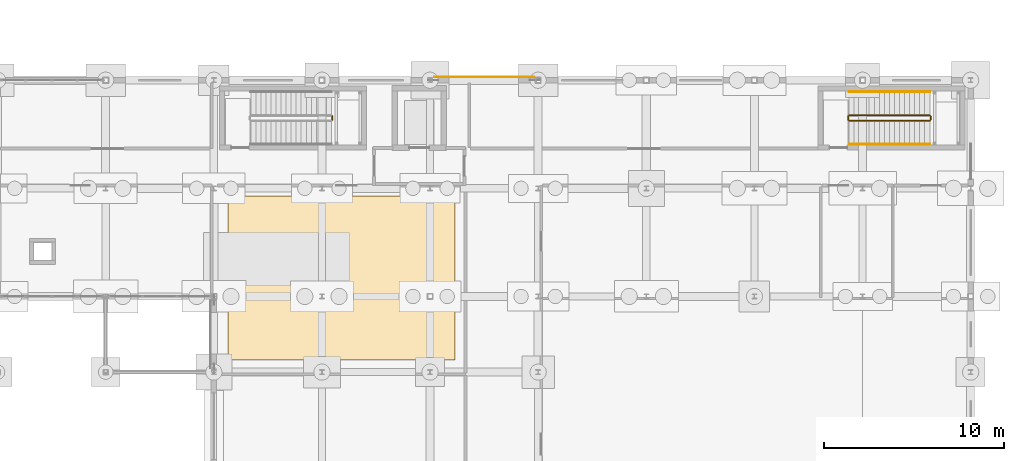
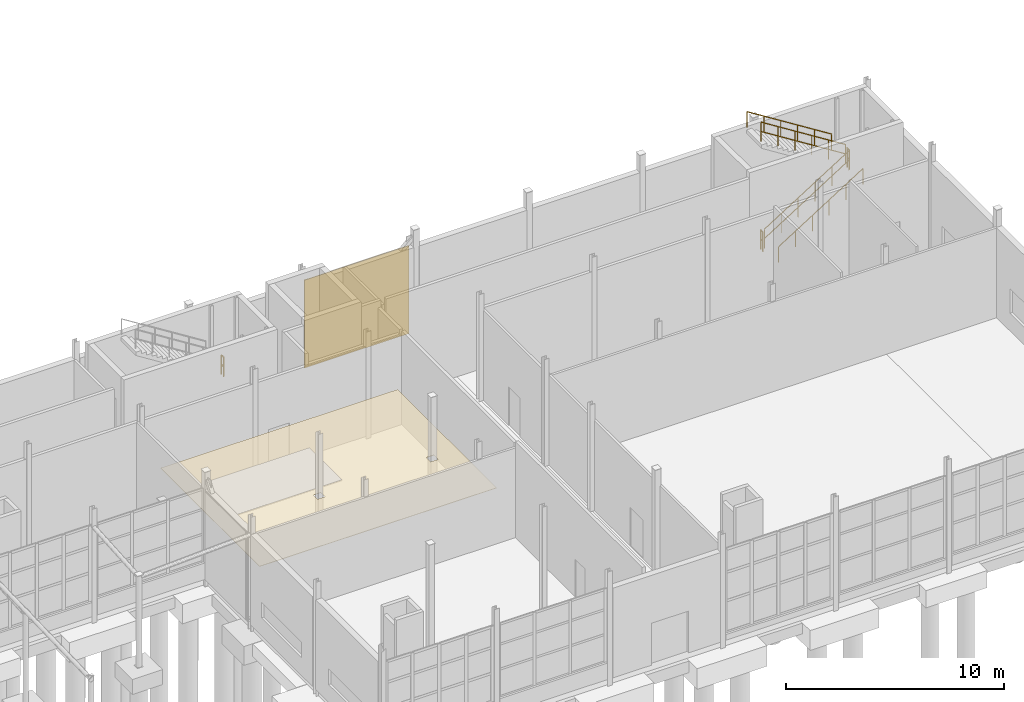
# One storey, part 118 of 120: 7 railings, 2 coverings.
"""IFC4 building model written with IfcOpenShell, lengths in metres."""

from ifc_helpers import new_model, si_unit, direction, frame, origin, origin_2d, place, context, subcontext, project, spatial, polyline, rectangle, circle, outline, extrude, material, layer, layer_set, type_object, element, save


model = new_model("IFC4")

# Units and contexts
model_context = context("Model", 3, precision=1e-05, world=origin(), true_north=direction((0.0, 1.0)))
body_context = subcontext(model_context, "Body", "Model", "MODEL_VIEW")
ifc_project = project(units=[si_unit("LENGTHUNIT", "METRE"), si_unit("AREAUNIT", "SQUARE_METRE"), si_unit("VOLUMEUNIT", "CUBIC_METRE"), si_unit("PLANEANGLEUNIT", "RADIAN"), si_unit("MASSUNIT", "GRAM", prefix="KILO")], contexts=[model_context])

# Site, building, storey
site_placement = place(None, origin())
site = spatial("IfcSite", under=ifc_project, at=site_placement, CompositionType="ELEMENT")
building_placement = place(site_placement, origin())
building = spatial("IfcBuilding", under=site, at=building_placement, Name="Siltcreek Boulevard Central Fire Station", CompositionType="ELEMENT")
storey_placement = place(building_placement, origin())
storey = spatial("IfcBuildingStorey", under=building, at=storey_placement, Name="L01", CompositionType="ELEMENT", Elevation=0.0)

# Coverings
ifc_material_1 = material(Name="Mineral-fiber acoustic ceiling tile", Category="gypsum")
ifc_layer_1 = layer(ifc_material_1, 0.02490234375, Name="Mineral-fiber acoustic ceiling tile")
ifc_layer_set_1 = layer_set([ifc_layer_1], Name="Mineral-fiber acoustic ceiling tile")
covering_type_1 = type_object("IfcCoveringType", Name="COV_CEIL_ACT", PredefinedType="CEILING", material=ifc_layer_set_1)
covering_1_placement = place(storey_placement, frame((0.0, 0.0, 2.419921875)))
element("IfcCovering", 1, at=covering_1_placement, inside=storey, type_object=covering_type_1, Name="L01 Academy Administration Office acoustic ceiling ACT-010", PredefinedType="CEILING", context=body_context, shape_type="SweptSolid", body=[
    extrude(outline(polyline([(125.0, 14.47998046875), (137.580078125, 14.47998046875), (137.580078125, 23.580078125), (125.0, 23.580078125), (125.0, 14.47998046875)]), holes=[polyline([(130.0, 17.800048828125), (130.39990234375, 17.800048828125), (130.39990234375, 18.199951171875), (130.0, 18.199951171875), (130.0, 17.800048828125)]), polyline([(136.0, 17.800048828125), (136.39990234375, 17.800048828125), (136.39990234375, 18.199951171875), (136.0, 18.199951171875), (136.0, 17.800048828125)])]), origin(), (0.0, 0.0, 1.0), 0.025146484375),
])
ifc_material_2 = material(Name="Crisp white ribbed aluminum facade panel", Category="aluminium")
ifc_layer_2 = layer(ifc_material_2, 0.0400390625, Name="Crisp white ribbed aluminum facade panel")
ifc_layer_set_2 = layer_set([ifc_layer_2], Name="Crisp white ribbed aluminum facade panel")
covering_type_2 = type_object("IfcCoveringType", Name="COV_CLAD_WHITE", PredefinedType="CLADDING", material=ifc_layer_set_2)
covering_2_placement = place(storey_placement, frame((139.199951171875, 30.177978515625, 0.050048828125), z_axis=(0.0, 0.0, 1.0), x_axis=(-1.0, 0.0, 0.0)))
element("IfcCovering", 2, at=covering_2_placement, inside=storey, type_object=covering_type_2, Name="L01 V6 ventilated facade cladding panel CL-024", PredefinedType="CLADDING", context=body_context, shape_type="SweptSolid", body=[
    extrude(rectangle(XDim=5.550048828125, YDim=0.0400390625, at=origin_2d()), origin(), (0.0, 0.0, 1.0), 4.93505859375),
])

# Railings
ifc_material_3 = material(Name="Painted galvanized steel stair guard", Category="steel")
railing_type_1 = type_object("IfcRailingType", Name="RL_ST_GUARD", PredefinedType="BALUSTRADE", material=ifc_material_3)
railing_1_placement = place(storey_placement, frame((130.780029296875, 27.800048828125, 3.0)))
element("IfcRailing", 3, at=railing_1_placement, inside=storey, type_object=railing_type_1, Name="L01 ST-V6A stair guard 2", PredefinedType="BALUSTRADE", context=body_context, shape_type="SweptSolid", body=[
    extrude(circle(Radius=0.02392578125, at=origin_2d()), frame((0.0, 0.0, 1.076171875), z_axis=(0.0, 1.0, 0.0), x_axis=(-1.0, 0.0, 0.0)), (0.0, 0.0, 1.0), 0.199951171875),
    extrude(circle(Radius=0.02392578125, at=origin_2d()), frame((0.0, 0.0, 0.550048828125), z_axis=(0.0, 1.0, 0.0), x_axis=(-1.0, 0.0, 0.0)), (0.0, 0.0, 1.0), 0.199951171875),
    extrude(circle(Radius=0.02099609375, at=origin_2d()), origin(), (0.0, 0.0, 1.0), 1.052001953125),
    extrude(circle(Radius=0.02099609375, at=origin_2d()), frame((0.0, 0.199951171875, 0.0)), (0.0, 0.0, 1.0), 1.052001953125),
])
railing_2_placement = place(storey_placement, frame((159.449951171875, 27.75, 0.176513671875)))
element("IfcRailing", 4, at=railing_2_placement, inside=storey, type_object=railing_type_1, Name="L01 ST-V6B stair guard 1", PredefinedType="BALUSTRADE", context=body_context, shape_type="SweptSolid", body=[
    extrude(circle(Radius=0.02392578125, at=origin_2d()), frame((0.0, 0.0, 1.076171875), z_axis=(0.845997938375, 0.0, 0.533186166611), x_axis=(0.0, 1.0, 0.0)), (0.0, 0.0, 1.0), 5.29541015625),
    extrude(circle(Radius=0.02392578125, at=origin_2d()), frame((0.0, 0.0, 0.550048828125), z_axis=(0.845997938375, 0.0, 0.533186166611), x_axis=(0.0, 1.0, 0.0)), (0.0, 0.0, 1.0), 5.29541015625),
    extrude(circle(Radius=0.02099609375, at=origin_2d()), origin(), (0.0, 0.0, 1.0), 1.052001953125),
    extrude(circle(Radius=0.02099609375, at=origin_2d()), frame((0.89599609375, 0.0, 0.564697265625)), (0.0, 0.0, 1.0), 1.052001953125),
    extrude(circle(Radius=0.02099609375, at=origin_2d()), frame((1.7919921875, 0.0, 1.12939453125)), (0.0, 0.0, 1.0), 1.052001953125),
    extrude(circle(Radius=0.02099609375, at=origin_2d()), frame((2.68798828125, 0.0, 1.694091796875)), (0.0, 0.0, 1.0), 1.052001953125),
    extrude(circle(Radius=0.02099609375, at=origin_2d()), frame((3.583984375, 0.0, 2.2587890625)), (0.0, 0.0, 1.0), 1.052001953125),
    extrude(circle(Radius=0.02099609375, at=origin_2d()), frame((4.47998046875, 0.0, 2.823486328125)), (0.0, 0.0, 1.0), 1.052001953125),
])
railing_3_placement = place(storey_placement, frame((163.97998046875, 27.800048828125, 3.0)))
element("IfcRailing", 5, at=railing_3_placement, inside=storey, type_object=railing_type_1, Name="L01 ST-V6B stair guard 2", PredefinedType="BALUSTRADE", context=body_context, shape_type="SweptSolid", body=[
    extrude(circle(Radius=0.02392578125, at=origin_2d()), frame((0.0, 0.0, 1.076171875), z_axis=(0.0, 1.0, 0.0), x_axis=(-1.0, 0.0, 0.0)), (0.0, 0.0, 1.0), 0.199951171875),
    extrude(circle(Radius=0.02392578125, at=origin_2d()), frame((0.0, 0.0, 0.550048828125), z_axis=(0.0, 1.0, 0.0), x_axis=(-1.0, 0.0, 0.0)), (0.0, 0.0, 1.0), 0.199951171875),
    extrude(circle(Radius=0.02099609375, at=origin_2d()), origin(), (0.0, 0.0, 1.0), 1.052001953125),
    extrude(circle(Radius=0.02099609375, at=origin_2d()), frame((0.0, 0.199951171875, 0.0)), (0.0, 0.0, 1.0), 1.052001953125),
])
railing_4_placement = place(storey_placement, frame((163.929931640625, 28.050048828125, 3.176513671875)))
element("IfcRailing", 6, at=railing_4_placement, inside=storey, type_object=railing_type_1, Name="L01 ST-V6B stair guard 3", PredefinedType="BALUSTRADE", context=body_context, shape_type="SweptSolid", body=[
    extrude(circle(Radius=0.02392578125, at=origin_2d()), frame((0.0, 0.0, 1.076171875), z_axis=(-0.845997938375, 0.0, 0.533186166611), x_axis=(0.0, -1.0, 0.0)), (0.0, 0.0, 1.0), 5.29541015625),
    extrude(circle(Radius=0.02392578125, at=origin_2d()), frame((0.0, 0.0, 0.550048828125), z_axis=(-0.845997938375, 0.0, 0.533186166611), x_axis=(0.0, -1.0, 0.0)), (0.0, 0.0, 1.0), 5.29541015625),
    extrude(circle(Radius=0.02099609375, at=origin_2d()), origin(), (0.0, 0.0, 1.0), 1.052001953125),
    extrude(circle(Radius=0.02099609375, at=origin_2d()), frame((-0.89599609375, 0.0, 0.564697265625)), (0.0, 0.0, 1.0), 1.052001953125),
    extrude(circle(Radius=0.02099609375, at=origin_2d()), frame((-1.7919921875, 0.0, 1.12939453125)), (0.0, 0.0, 1.0), 1.052001953125),
    extrude(circle(Radius=0.02099609375, at=origin_2d()), frame((-2.68798828125, 0.0, 1.694091796875)), (0.0, 0.0, 1.0), 1.052001953125),
    extrude(circle(Radius=0.02099609375, at=origin_2d()), frame((-3.583984375, 0.0, 2.2587890625)), (0.0, 0.0, 1.0), 1.052001953125),
    extrude(circle(Radius=0.02099609375, at=origin_2d()), frame((-4.47998046875, 0.0, 2.823486328125)), (0.0, 0.0, 1.0), 1.052001953125),
])
railing_5_placement = place(storey_placement, frame((159.39990234375, 27.800048828125, 0.0)))
element("IfcRailing", 7, at=railing_5_placement, inside=storey, type_object=railing_type_1, Name="L01 ST-V6B stair guard 4", PredefinedType="BALUSTRADE", context=body_context, shape_type="SweptSolid", body=[
    extrude(circle(Radius=0.02392578125, at=origin_2d()), frame((0.0, 0.0, 1.076171875), z_axis=(0.0, 1.0, 0.0), x_axis=(-1.0, 0.0, 0.0)), (0.0, 0.0, 1.0), 0.199951171875),
    extrude(circle(Radius=0.02392578125, at=origin_2d()), frame((0.0, 0.0, 0.550048828125), z_axis=(0.0, 1.0, 0.0), x_axis=(-1.0, 0.0, 0.0)), (0.0, 0.0, 1.0), 0.199951171875),
    extrude(circle(Radius=0.02099609375, at=origin_2d()), origin(), (0.0, 0.0, 1.0), 1.052001953125),
    extrude(circle(Radius=0.02099609375, at=origin_2d()), frame((0.0, 0.199951171875, 0.0)), (0.0, 0.0, 1.0), 1.052001953125),
])
ifc_material_4 = material(Name="Brushed stainless steel stair handrail", Category="steel")
railing_type_2 = type_object("IfcRailingType", Name="RL_ST_HAND", PredefinedType="HANDRAIL", material=ifc_material_4)
railing_6_placement = place(storey_placement, frame((159.449951171875, 26.449951171875, 0.176513671875)))
element("IfcRailing", 8, at=railing_6_placement, inside=storey, type_object=railing_type_2, Name="L01 ST-V6B stair handrail 1", PredefinedType="HANDRAIL", context=body_context, shape_type="SweptSolid", body=[
    extrude(circle(Radius=0.02392578125, at=origin_2d()), frame((0.0, 0.0, 0.8759765625), z_axis=(0.845997938375, 0.0, 0.533186166611), x_axis=(0.0, 1.0, 0.0)), (0.0, 0.0, 1.0), 5.29541015625),
    extrude(circle(Radius=0.02099609375, at=origin_2d()), origin(), (0.0, 0.0, 1.0), 0.851806640625),
    extrude(circle(Radius=0.02099609375, at=origin_2d()), frame((0.89599609375, 0.0, 0.564697265625)), (0.0, 0.0, 1.0), 0.851806640625),
    extrude(circle(Radius=0.02099609375, at=origin_2d()), frame((1.7919921875, 0.0, 1.12939453125)), (0.0, 0.0, 1.0), 0.851806640625),
    extrude(circle(Radius=0.02099609375, at=origin_2d()), frame((2.68798828125, 0.0, 1.694091796875)), (0.0, 0.0, 1.0), 0.851806640625),
    extrude(circle(Radius=0.02099609375, at=origin_2d()), frame((3.583984375, 0.0, 2.2587890625)), (0.0, 0.0, 1.0), 0.851806640625),
    extrude(circle(Radius=0.02099609375, at=origin_2d()), frame((4.47998046875, 0.0, 2.823486328125)), (0.0, 0.0, 1.0), 0.851806640625),
])
railing_7_placement = place(storey_placement, frame((163.929931640625, 29.35009765625, 3.176513671875)))
element("IfcRailing", 9, at=railing_7_placement, inside=storey, type_object=railing_type_2, Name="L01 ST-V6B stair handrail 2", PredefinedType="HANDRAIL", context=body_context, shape_type="SweptSolid", body=[
    extrude(circle(Radius=0.02392578125, at=origin_2d()), frame((0.0, 0.0, 0.8759765625), z_axis=(-0.845997938375, 0.0, 0.533186166611), x_axis=(0.0, -1.0, 0.0)), (0.0, 0.0, 1.0), 5.29541015625),
    extrude(circle(Radius=0.02099609375, at=origin_2d()), origin(), (0.0, 0.0, 1.0), 0.851806640625),
    extrude(circle(Radius=0.02099609375, at=origin_2d()), frame((-0.89599609375, 0.0, 0.564697265625)), (0.0, 0.0, 1.0), 0.851806640625),
    extrude(circle(Radius=0.02099609375, at=origin_2d()), frame((-1.7919921875, 0.0, 1.12939453125)), (0.0, 0.0, 1.0), 0.851806640625),
    extrude(circle(Radius=0.02099609375, at=origin_2d()), frame((-2.68798828125, 0.0, 1.694091796875)), (0.0, 0.0, 1.0), 0.851806640625),
    extrude(circle(Radius=0.02099609375, at=origin_2d()), frame((-3.583984375, 0.0, 2.2587890625)), (0.0, 0.0, 1.0), 0.851806640625),
    extrude(circle(Radius=0.02099609375, at=origin_2d()), frame((-4.47998046875, 0.0, 2.823486328125)), (0.0, 0.0, 1.0), 0.851806640625),
])

save(model, "model.ifc")
